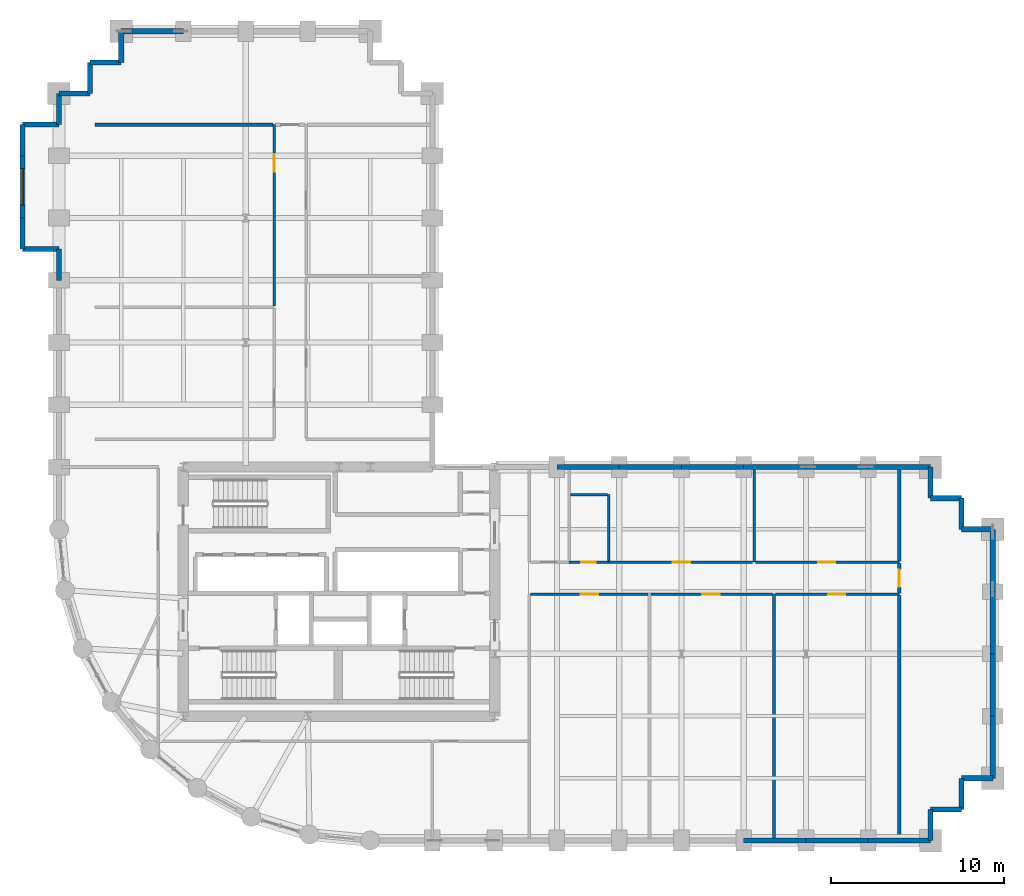
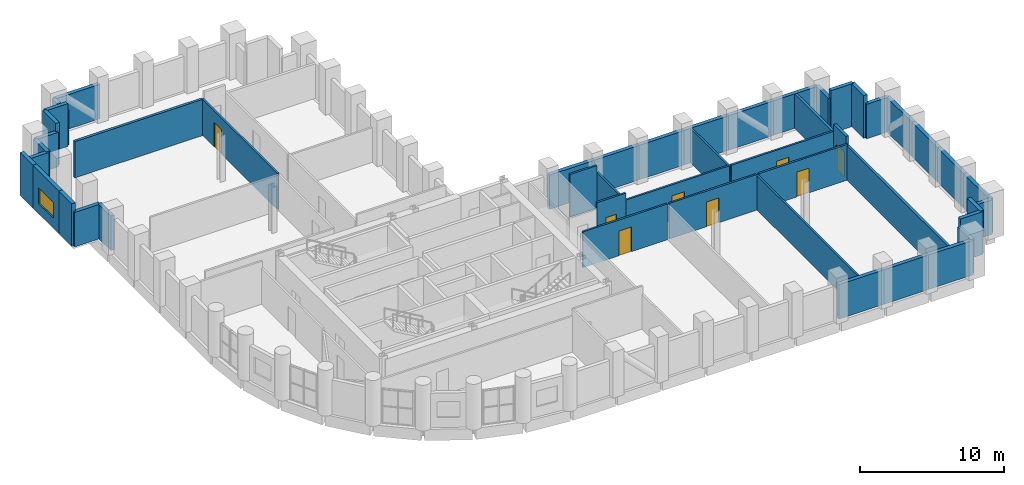
# One storey, part 11 of 13: 48 walls, 8 doors, 1 window, 9 openings.
"""IFC4 building model written with IfcOpenShell, lengths in metres."""

from ifc_helpers import new_model, si_unit, direction, frame, frame_2d, origin, place, context, subcontext, project, spatial, rectangle, extrude, material, layer, layer_set, type_object, element, fill, save


model = new_model("IFC4")

# Units and contexts
model_context = context("Model", 3, precision=1e-05, world=origin(), true_north=direction((0.0, 1.0)))
body_context = subcontext(model_context, "Body", "Model", "MODEL_VIEW")
ifc_project = project(units=[si_unit("LENGTHUNIT", "METRE"), si_unit("AREAUNIT", "SQUARE_METRE"), si_unit("VOLUMEUNIT", "CUBIC_METRE"), si_unit("PLANEANGLEUNIT", "RADIAN"), si_unit("MASSUNIT", "GRAM", prefix="KILO")], contexts=[model_context])

# Site, building, storey
site_placement = place(None, origin())
site = spatial("IfcSite", under=ifc_project, at=site_placement, CompositionType="ELEMENT")
building_placement = place(site_placement, origin())
building = spatial("IfcBuilding", under=site, at=building_placement, Name="Solnavia Interchange Tower", CompositionType="ELEMENT")
storey_placement = place(building_placement, frame((0.0, 0.0, 51.300048828125)))
storey = spatial("IfcBuildingStorey", under=building, at=storey_placement, Name="L12", CompositionType="ELEMENT", Elevation=51.300048828125)

# Walls
ifc_material_1 = material(Name="Gypsum Acoustic Twin-Stud & Mineral Wool", Category="gypsum")
ifc_layer_1 = layer(ifc_material_1, 0.199951171875)
ifc_layer_set_1 = layer_set([ifc_layer_1], Name="Gypsum Acoustic Twin-Stud & Mineral Wool")
wall_type_1 = type_object("IfcWallType", Name="Wall-ApartmentParty-200", PredefinedType="PARTITIONING", material=ifc_layer_set_1)
wall_1_placement = place(storey_placement, frame((55.800048828125, 3.75390625, 0.0), z_axis=(0.0, 0.0, 1.0), x_axis=(0.0, 1.0, 0.0)))
element("IfcWall", 1, at=wall_1_placement, inside=storey, type_object=wall_type_1, Name="PTW-L12-24 Interior partition wall", PredefinedType="PARTITIONING", context=body_context, shape_type="SweptSolid", body=[
    extrude(rectangle(XDim=14.01708984375, YDim=0.199951171875, at=frame_2d((7.008544921875, 0.0))), origin(), (0.0, 0.0, 1.0), 2.929931640625),
])
wall_2_placement = place(storey_placement, frame((55.800048828125, 19.779052734375, 0.0), z_axis=(0.0, 0.0, 1.0), x_axis=(0.0, 1.0, 0.0)))
element("IfcWall", 2, at=wall_2_placement, inside=storey, type_object=wall_type_1, Name="PTW-L12-25 Interior partition wall", PredefinedType="PARTITIONING", context=body_context, shape_type="SweptSolid", body=[
    extrude(rectangle(XDim=5.266845703125, YDim=0.199951171875, at=frame_2d((2.63330078125, 0.0))), origin(), (0.0, 0.0, 1.0), 2.929931640625),
])

# Wall, opening, door
wall_3_placement = place(storey_placement, frame((55.800048828125, 17.928955078125, 0.0), z_axis=(0.0, 0.0, 1.0), x_axis=(0.0, 1.0, 0.0)))
wall_3 = element("IfcWall", 3, at=wall_3_placement, inside=storey, type_object=wall_type_1, Name="PTW-L12-26 Interior partition wall", PredefinedType="PARTITIONING", context=body_context, shape_type="SweptSolid", body=[
    extrude(rectangle(XDim=1.692138671875, YDim=0.199951171875, at=frame_2d((0.84619140625, 0.0))), origin(), (0.0, 0.0, 1.0), 3.635009765625),
])
opening_1_placement = place(wall_3_placement, frame((0.339111328125, 0.0, 0.0)))
opening_1 = element("IfcOpeningElement", 4, at=opening_1_placement, cuts=wall_3, Name="Opening DR-06", PredefinedType="OPENING", context=body_context, shape_type="SweptSolid", body=[
    extrude(rectangle(XDim=1.0, YDim=2.10009765625, at=frame_2d((0.5, 1.050048828125))), frame((0.0, 0.10986328125, 0.0), z_axis=(0.0, -1.0, 0.0), x_axis=(1.0, 0.0, 0.0)), (0.0, 0.0, 1.0), 0.219970703125),
])
ifc_material_2 = material(Name="Engineered Timber Acoustic Fire Door", Category="wood")
door_type_1 = type_object("IfcDoorType", Name="Door-FlatEntry-1000x2100", OperationType="SINGLE_SWING_LEFT", PredefinedType="DOOR", material=ifc_material_2)
door_1_placement = place(opening_1_placement, origin())
door_1 = element("IfcDoor", 5, at=door_1_placement, inside=storey, type_object=door_type_1, Name="DR-L12-12 Interior room door", OperationType="SINGLE_SWING_RIGHT", OverallHeight=2.10009765625, OverallWidth=1.0, PredefinedType="DOOR", context=body_context, shape_type="SweptSolid", body=[
    extrude(rectangle(XDim=1.0, YDim=2.10009765625, at=frame_2d((0.5, 1.050048828125))), frame((0.0, 0.02490234375, 0.0), z_axis=(0.0, -1.0, 0.0), x_axis=(1.0, 0.0, 0.0)), (0.0, 0.0, 1.0), 0.050048828125),
])
fill(opening_1, door_1)

# Walls
wall_4_placement = place(storey_placement, frame((9.300048828125, 45.0, 0.0), z_axis=(0.0, 0.0, 1.0), x_axis=(1.0, 0.0, 0.0)))
element("IfcWall", 6, at=wall_4_placement, inside=storey, type_object=wall_type_1, Name="PTW-L12-35 Interior partition wall", PredefinedType="PARTITIONING", context=body_context, shape_type="SweptSolid", body=[
    extrude(rectangle(XDim=10.27099609375, YDim=0.199951171875, at=frame_2d((5.135498046875, 0.0))), origin(), (0.0, 0.0, 1.0), 3.079833984375),
])
ifc_material_3 = material(Name="Concrete C40/50", Category="concrete")
ifc_layer_2 = layer(ifc_material_3, 0.300048828125)
ifc_layer_set_2 = layer_set([ifc_layer_2], Name="Concrete C40/50")
wall_type_2 = type_object("IfcWallType", Name="Wall-ExtSpandrel-300", PredefinedType="STANDARD", material=ifc_layer_set_2)
wall_5_placement = place(storey_placement, frame((50.39990234375, 3.60009765625, 0.0), z_axis=(0.0, 0.0, 1.0), x_axis=(-1.0, 0.0, 0.0)))
element("IfcWall", 7, at=wall_5_placement, inside=storey, type_object=wall_type_2, Name="EXW-L12-07 Exterior precast spandrel wall", PredefinedType="STANDARD", context=body_context, shape_type="SweptSolid", body=[
    extrude(rectangle(XDim=3.599853515625, YDim=0.300048828125, at=frame_2d((1.7998046875, 0.0))), origin(), (0.0, 0.0, 1.0), 2.929931640625),
])
for number, where, z_axis, x_axis, name in (
    (8, (54.0, 3.60009765625, 0.0), (0.0, 0.0, 1.0), (-1.0, 0.0, 0.0), "EXW-L12-08 Exterior precast spandrel wall"),
    (9, (57.60009765625, 3.60009765625, 0.0), (0.0, 0.0, 1.0), (-1.0, 0.0, 0.0), "EXW-L12-09 Exterior precast spandrel wall"),
):
    element("IfcWall", number, at=place(storey_placement, frame(where, z_axis=z_axis, x_axis=x_axis)), inside=storey, type_object=wall_type_2, Name=name, PredefinedType="STANDARD", context=body_context, shape_type="SweptSolid", body=[
        extrude(rectangle(XDim=3.60009765625, YDim=0.300048828125, at=frame_2d((1.800048828125, 0.0))), origin(), (0.0, 0.0, 1.0), 2.929931640625),
    ])
wall_6_placement = place(storey_placement, frame((57.60009765625, 5.39990234375, 0.0), z_axis=(0.0, 0.0, 1.0), x_axis=(0.0, -1.0, 0.0)))
element("IfcWall", 10, at=wall_6_placement, inside=storey, type_object=wall_type_2, Name="EXW-L12-10 Exterior precast spandrel wall", PredefinedType="STANDARD", context=body_context, shape_type="SweptSolid", body=[
    extrude(rectangle(XDim=1.7998046875, YDim=0.300048828125, at=frame_2d((0.89990234375, 0.0))), origin(), (0.0, 0.0, 1.0), 2.929931640625),
])
wall_7_placement = place(storey_placement, frame((59.39990234375, 5.39990234375, 0.0), z_axis=(0.0, 0.0, 1.0), x_axis=(-1.0, 0.0, 0.0)))
element("IfcWall", 11, at=wall_7_placement, inside=storey, type_object=wall_type_2, Name="EXW-L12-11 Exterior precast spandrel wall", PredefinedType="STANDARD", context=body_context, shape_type="SweptSolid", body=[
    extrude(rectangle(XDim=1.7998046875, YDim=0.300048828125, at=frame_2d((0.89990234375, 0.0))), origin(), (0.0, 0.0, 1.0), 3.635009765625),
])
wall_8_placement = place(storey_placement, frame((59.39990234375, 7.199951171875, 0.0), z_axis=(0.0, 0.0, 1.0), x_axis=(0.0, -1.0, 0.0)))
element("IfcWall", 12, at=wall_8_placement, inside=storey, type_object=wall_type_2, Name="EXW-L12-12 Exterior precast spandrel wall", PredefinedType="STANDARD", context=body_context, shape_type="SweptSolid", body=[
    extrude(rectangle(XDim=1.800048828125, YDim=0.300048828125, at=frame_2d((0.89990234375, 0.0))), origin(), (0.0, 0.0, 1.0), 3.635009765625),
])
wall_9_placement = place(storey_placement, frame((61.199951171875, 7.199951171875, 0.0), z_axis=(0.0, 0.0, 1.0), x_axis=(-1.0, 0.0, 0.0)))
element("IfcWall", 13, at=wall_9_placement, inside=storey, type_object=wall_type_2, Name="EXW-L12-13 Exterior precast spandrel wall", PredefinedType="STANDARD", context=body_context, shape_type="SweptSolid", body=[
    extrude(rectangle(XDim=1.800048828125, YDim=0.300048828125, at=frame_2d((0.89990234375, 0.0))), origin(), (0.0, 0.0, 1.0), 2.929931640625),
])
wall_10_placement = place(storey_placement, frame((61.199951171875, 10.800048828125, 0.0), z_axis=(0.0, 0.0, 1.0), x_axis=(0.0, -1.0, 0.0)))
element("IfcWall", 14, at=wall_10_placement, inside=storey, type_object=wall_type_2, Name="EXW-L12-14 Exterior precast spandrel wall", PredefinedType="STANDARD", context=body_context, shape_type="SweptSolid", body=[
    extrude(rectangle(XDim=3.60009765625, YDim=0.300048828125, at=frame_2d((1.800048828125, 0.0))), origin(), (0.0, 0.0, 1.0), 2.929931640625),
])
wall_11_placement = place(storey_placement, frame((61.199951171875, 14.39990234375, 0.0), z_axis=(0.0, 0.0, 1.0), x_axis=(0.0, -1.0, 0.0)))
element("IfcWall", 15, at=wall_11_placement, inside=storey, type_object=wall_type_2, Name="EXW-L12-15 Exterior precast spandrel wall", PredefinedType="STANDARD", context=body_context, shape_type="SweptSolid", body=[
    extrude(rectangle(XDim=3.599853515625, YDim=0.300048828125, at=frame_2d((1.7998046875, 0.0))), origin(), (0.0, 0.0, 1.0), 2.929931640625),
])
for number, where, z_axis, x_axis, name in (
    (16, (61.199951171875, 18.0, 0.0), (0.0, 0.0, 1.0), (0.0, -1.0, 0.0), "EXW-L12-16 Exterior precast spandrel wall"),
    (17, (61.199951171875, 21.60009765625, 0.0), (0.0, 0.0, 1.0), (0.0, -1.0, 0.0), "EXW-L12-17 Exterior precast spandrel wall"),
):
    element("IfcWall", number, at=place(storey_placement, frame(where, z_axis=z_axis, x_axis=x_axis)), inside=storey, type_object=wall_type_2, Name=name, PredefinedType="STANDARD", context=body_context, shape_type="SweptSolid", body=[
        extrude(rectangle(XDim=3.60009765625, YDim=0.300048828125, at=frame_2d((1.800048828125, 0.0))), origin(), (0.0, 0.0, 1.0), 2.929931640625),
    ])
wall_12_placement = place(storey_placement, frame((61.199951171875, 21.60009765625, 0.0), z_axis=(0.0, 0.0, 1.0), x_axis=(-1.0, 0.0, 0.0)))
element("IfcWall", 18, at=wall_12_placement, inside=storey, type_object=wall_type_2, Name="EXW-L12-18 Exterior precast spandrel wall", PredefinedType="STANDARD", context=body_context, shape_type="SweptSolid", body=[
    extrude(rectangle(XDim=1.800048828125, YDim=0.300048828125, at=frame_2d((0.89990234375, 0.0))), origin(), (0.0, 0.0, 1.0), 2.929931640625),
])
for number, where, z_axis, x_axis, name in (
    (19, (59.39990234375, 23.39990234375, 0.0), (0.0, 0.0, 1.0), (0.0, -1.0, 0.0), "EXW-L12-19 Exterior precast spandrel wall"),
    (20, (57.60009765625, 23.39990234375, 0.0), (0.0, 0.0, 1.0), (1.0, 0.0, 0.0), "EXW-L12-20 Exterior precast spandrel wall"),
):
    element("IfcWall", number, at=place(storey_placement, frame(where, z_axis=z_axis, x_axis=x_axis)), inside=storey, type_object=wall_type_2, Name=name, PredefinedType="STANDARD", context=body_context, shape_type="SweptSolid", body=[
        extrude(rectangle(XDim=1.7998046875, YDim=0.300048828125, at=frame_2d((0.89990234375, 0.0))), origin(), (0.0, 0.0, 1.0), 3.635009765625),
    ])
wall_13_placement = place(storey_placement, frame((57.60009765625, 25.199951171875, 0.0), z_axis=(0.0, 0.0, 1.0), x_axis=(0.0, -1.0, 0.0)))
element("IfcWall", 21, at=wall_13_placement, inside=storey, type_object=wall_type_2, Name="EXW-L12-21 Exterior precast spandrel wall", PredefinedType="STANDARD", context=body_context, shape_type="SweptSolid", body=[
    extrude(rectangle(XDim=1.800048828125, YDim=0.300048828125, at=frame_2d((0.89990234375, 0.0))), origin(), (0.0, 0.0, 1.0), 2.929931640625),
])
for number, where, z_axis, x_axis, name in (
    (22, (54.0, 25.199951171875, 0.0), (0.0, 0.0, 1.0), (1.0, 0.0, 0.0), "EXW-L12-22 Exterior precast spandrel wall"),
    (23, (50.39990234375, 25.199951171875, 0.0), (0.0, 0.0, 1.0), (1.0, 0.0, 0.0), "EXW-L12-23 Exterior precast spandrel wall"),
):
    element("IfcWall", number, at=place(storey_placement, frame(where, z_axis=z_axis, x_axis=x_axis)), inside=storey, type_object=wall_type_2, Name=name, PredefinedType="STANDARD", context=body_context, shape_type="SweptSolid", body=[
        extrude(rectangle(XDim=3.60009765625, YDim=0.300048828125, at=frame_2d((1.800048828125, 0.0))), origin(), (0.0, 0.0, 1.0), 2.929931640625),
    ])
wall_14_placement = place(storey_placement, frame((46.800048828125, 25.199951171875, 0.0), z_axis=(0.0, 0.0, 1.0), x_axis=(1.0, 0.0, 0.0)))
element("IfcWall", 24, at=wall_14_placement, inside=storey, type_object=wall_type_2, Name="EXW-L12-24 Exterior precast spandrel wall", PredefinedType="STANDARD", context=body_context, shape_type="SweptSolid", body=[
    extrude(rectangle(XDim=3.599853515625, YDim=0.300048828125, at=frame_2d((1.7998046875, 0.0))), origin(), (0.0, 0.0, 1.0), 2.929931640625),
])
wall_15_placement = place(storey_placement, frame((43.199951171875, 25.199951171875, 0.0), z_axis=(0.0, 0.0, 1.0), x_axis=(1.0, 0.0, 0.0)))
element("IfcWall", 25, at=wall_15_placement, inside=storey, type_object=wall_type_2, Name="EXW-L12-25 Exterior precast spandrel wall", PredefinedType="STANDARD", context=body_context, shape_type="SweptSolid", body=[
    extrude(rectangle(XDim=3.60009765625, YDim=0.300048828125, at=frame_2d((1.800048828125, 0.0))), origin(), (0.0, 0.0, 1.0), 2.929931640625),
])
wall_16_placement = place(storey_placement, frame((39.60009765625, 25.199951171875, 0.0), z_axis=(0.0, 0.0, 1.0), x_axis=(1.0, 0.0, 0.0)))
element("IfcWall", 26, at=wall_16_placement, inside=storey, type_object=wall_type_2, Name="EXW-L12-26 Exterior precast spandrel wall", PredefinedType="STANDARD", context=body_context, shape_type="SweptSolid", body=[
    extrude(rectangle(XDim=3.599853515625, YDim=0.300048828125, at=frame_2d((1.7998046875, 0.0))), origin(), (0.0, 0.0, 1.0), 2.929931640625),
])
wall_17_placement = place(storey_placement, frame((36.0, 25.199951171875, 0.0), z_axis=(0.0, 0.0, 1.0), x_axis=(1.0, 0.0, 0.0)))
element("IfcWall", 27, at=wall_17_placement, inside=storey, type_object=wall_type_2, Name="EXW-L12-27 Exterior precast spandrel wall", PredefinedType="STANDARD", context=body_context, shape_type="SweptSolid", body=[
    extrude(rectangle(XDim=3.60009765625, YDim=0.300048828125, at=frame_2d((1.800048828125, 0.0))), origin(), (0.0, 0.0, 1.0), 2.929931640625),
])
wall_18_placement = place(storey_placement, frame((10.800048828125, 50.39990234375, 0.0), z_axis=(0.0, 0.0, 1.0), x_axis=(1.0, 0.0, 0.0)))
element("IfcWall", 28, at=wall_18_placement, inside=storey, type_object=wall_type_2, Name="EXW-L12-43 Exterior precast spandrel wall", PredefinedType="STANDARD", context=body_context, shape_type="SweptSolid", body=[
    extrude(rectangle(XDim=3.599853515625, YDim=0.300048828125, at=frame_2d((1.7998046875, 0.0))), origin(), (0.0, 0.0, 1.0), 2.929931640625),
])
wall_19_placement = place(storey_placement, frame((10.800048828125, 48.60009765625, 0.0), z_axis=(0.0, 0.0, 1.0), x_axis=(0.0, 1.0, 0.0)))
element("IfcWall", 29, at=wall_19_placement, inside=storey, type_object=wall_type_2, Name="EXW-L12-44 Exterior precast spandrel wall", PredefinedType="STANDARD", context=body_context, shape_type="SweptSolid", body=[
    extrude(rectangle(XDim=1.7998046875, YDim=0.300048828125, at=frame_2d((0.89990234375, 0.0))), origin(), (0.0, 0.0, 1.0), 2.929931640625),
])
for number, where, z_axis, x_axis, name in (
    (30, (9.0, 48.60009765625, 0.0), (0.0, 0.0, 1.0), (1.0, 0.0, 0.0), "EXW-L12-45 Exterior precast spandrel wall"),
    (31, (9.0, 46.800048828125, 0.0), (0.0, 0.0, 1.0), (0.0, 1.0, 0.0), "EXW-L12-46 Exterior precast spandrel wall"),
):
    element("IfcWall", number, at=place(storey_placement, frame(where, z_axis=z_axis, x_axis=x_axis)), inside=storey, type_object=wall_type_2, Name=name, PredefinedType="STANDARD", context=body_context, shape_type="SweptSolid", body=[
        extrude(rectangle(XDim=1.800048828125, YDim=0.300048828125, at=frame_2d((0.89990234375, 0.0))), origin(), (0.0, 0.0, 1.0), 3.635009765625),
    ])
for number, where, z_axis, x_axis, name in (
    (32, (7.199951171875, 46.800048828125, 0.0), (0.0, 0.0, 1.0), (1.0, 0.0, 0.0), "EXW-L12-47 Exterior precast spandrel wall"),
    (33, (7.199951171875, 45.0, 0.0), (0.0, 0.0, 1.0), (0.0, 1.0, 0.0), "EXW-L12-48 Exterior precast spandrel wall"),
):
    element("IfcWall", number, at=place(storey_placement, frame(where, z_axis=z_axis, x_axis=x_axis)), inside=storey, type_object=wall_type_2, Name=name, PredefinedType="STANDARD", context=body_context, shape_type="SweptSolid", body=[
        extrude(rectangle(XDim=1.800048828125, YDim=0.300048828125, at=frame_2d((0.89990234375, 0.0))), origin(), (0.0, 0.0, 1.0), 2.929931640625),
    ])
wall_20_placement = place(storey_placement, frame((5.10009765625, 45.0, 0.0), z_axis=(0.0, 0.0, 1.0), x_axis=(1.0, 0.0, 0.0)))
element("IfcWall", 34, at=wall_20_placement, inside=storey, type_object=wall_type_2, Name="EXW-L12-49 Exterior precast spandrel wall", PredefinedType="STANDARD", context=body_context, shape_type="SweptSolid", body=[
    extrude(rectangle(XDim=2.099853515625, YDim=0.300048828125, at=frame_2d((1.0498046875, 0.0))), origin(), (0.0, 0.0, 1.0), 2.929931640625),
])
wall_21_placement = place(storey_placement, frame((5.10009765625, 43.199951171875, 0.0), z_axis=(0.0, 0.0, 1.0), x_axis=(0.0, 1.0, 0.0)))
element("IfcWall", 35, at=wall_21_placement, inside=storey, type_object=wall_type_2, Name="EXW-L12-50 Exterior precast spandrel wall", PredefinedType="STANDARD", context=body_context, shape_type="SweptSolid", body=[
    extrude(rectangle(XDim=1.800048828125, YDim=0.300048828125, at=frame_2d((0.89990234375, 0.0))), origin(), (0.0, 0.0, 1.0), 3.635009765625),
])

# Wall, opening, window
wall_22_placement = place(storey_placement, frame((5.10009765625, 39.60009765625, 0.0), z_axis=(0.0, 0.0, 1.0), x_axis=(0.0, 1.0, 0.0)))
wall_22 = element("IfcWall", 36, at=wall_22_placement, inside=storey, type_object=wall_type_2, Name="EXW-L12-51 Exterior precast spandrel wall", PredefinedType="STANDARD", context=body_context, shape_type="SweptSolid", body=[
    extrude(rectangle(XDim=3.599853515625, YDim=0.300048828125, at=frame_2d((1.7998046875, 0.0))), origin(), (0.0, 0.0, 1.0), 3.635009765625),
])
opening_2_placement = place(wall_22_placement, frame((0.75, 0.0, 0.85009765625)))
opening_2 = element("IfcOpeningElement", 37, at=opening_2_placement, cuts=wall_22, Name="Opening WIN-01", PredefinedType="OPENING", context=body_context, shape_type="SweptSolid", body=[
    extrude(rectangle(XDim=2.10009765625, YDim=1.35009765625, at=frame_2d((1.050048828125, 0.675048828125))), frame((0.0, 0.16015625, 0.0), z_axis=(0.0, -1.0, 0.0), x_axis=(1.0, 0.0, 0.0)), (0.0, 0.0, 1.0), 0.320068359375),
])
ifc_material_4 = material(Name="Thermal-Break Aluminium & Low-E Glass", Category="aluminium")
window_type = type_object("IfcWindowType", Name="Window-Ribbon-2100x1350", PartitioningType="SINGLE_PANEL", PredefinedType="WINDOW", material=ifc_material_4)
window_placement = place(opening_2_placement, origin())
window = element("IfcWindow", 38, at=window_placement, inside=storey, type_object=window_type, Name="WIN-L12-51 Facade ribbon window", OverallHeight=1.35009765625, OverallWidth=2.10009765625, PartitioningType="SINGLE_PANEL", PredefinedType="WINDOW", context=body_context, shape_type="SweptSolid", body=[
    extrude(rectangle(XDim=2.10009765625, YDim=1.35009765625, at=frame_2d((1.050048828125, 0.675048828125))), frame((0.0, 0.030029296875, 0.0), z_axis=(0.0, -1.0, 0.0), x_axis=(1.0, 0.0, 0.0)), (0.0, 0.0, 1.0), 0.06005859375),
])
fill(opening_2, window)

# Walls
wall_23_placement = place(storey_placement, frame((5.10009765625, 37.800048828125, 0.0), z_axis=(0.0, 0.0, 1.0), x_axis=(0.0, 1.0, 0.0)))
element("IfcWall", 39, at=wall_23_placement, inside=storey, type_object=wall_type_2, Name="EXW-L12-52 Exterior precast spandrel wall", PredefinedType="STANDARD", context=body_context, shape_type="SweptSolid", body=[
    extrude(rectangle(XDim=1.800048828125, YDim=0.300048828125, at=frame_2d((0.89990234375, 0.0))), origin(), (0.0, 0.0, 1.0), 3.635009765625),
])
wall_24_placement = place(storey_placement, frame((5.10009765625, 37.800048828125, 0.0), z_axis=(0.0, 0.0, 1.0), x_axis=(1.0, 0.0, 0.0)))
element("IfcWall", 40, at=wall_24_placement, inside=storey, type_object=wall_type_2, Name="EXW-L12-53 Exterior precast spandrel wall", PredefinedType="STANDARD", context=body_context, shape_type="SweptSolid", body=[
    extrude(rectangle(XDim=2.099853515625, YDim=0.300048828125, at=frame_2d((1.0498046875, 0.0))), origin(), (0.0, 0.0, 1.0), 2.929931640625),
])
wall_25_placement = place(storey_placement, frame((7.199951171875, 36.0, 0.0), z_axis=(0.0, 0.0, 1.0), x_axis=(0.0, 1.0, 0.0)))
element("IfcWall", 41, at=wall_25_placement, inside=storey, type_object=wall_type_2, Name="EXW-L12-54 Exterior precast spandrel wall", PredefinedType="STANDARD", context=body_context, shape_type="SweptSolid", body=[
    extrude(rectangle(XDim=1.800048828125, YDim=0.300048828125, at=frame_2d((0.89990234375, 0.0))), origin(), (0.0, 0.0, 1.0), 2.929931640625),
])

# Wall, opening, door
ifc_material_5 = material(Name="Gypsum Plasterboard & Steel Stud", Category="steel")
ifc_layer_3 = layer(ifc_material_5, 0.14990234375)
ifc_layer_set_3 = layer_set([ifc_layer_3], Name="Gypsum Plasterboard & Steel Stud")
wall_type_3 = type_object("IfcWallType", Name="Wall-Partition-150", PredefinedType="PARTITIONING", material=ifc_layer_set_3)
wall_26_placement = place(storey_placement, frame((34.47900390625, 17.85009765625, 0.0), z_axis=(0.0, 0.0, 1.0), x_axis=(1.0, 0.0, 0.0)))
wall_26 = element("IfcWall", 42, at=wall_26_placement, inside=storey, type_object=wall_type_3, Name="PTW-L12-17 Interior partition wall", PredefinedType="PARTITIONING", context=body_context, shape_type="SweptSolid", body=[
    extrude(rectangle(XDim=6.7919921875, YDim=0.14990234375, at=frame_2d((3.39599609375, 0.0))), origin(), (0.0, 0.0, 1.0), 3.0400390625),
])
opening_3_placement = place(wall_26_placement, frame((2.89599609375, 0.0, 0.0)))
opening_3 = element("IfcOpeningElement", 43, at=opening_3_placement, cuts=wall_26, Name="Opening DR-07", PredefinedType="OPENING", context=body_context, shape_type="SweptSolid", body=[
    extrude(rectangle(XDim=1.0, YDim=2.10009765625, at=frame_2d((0.5, 1.050048828125))), frame((0.0, 0.0849609375, 0.0), z_axis=(0.0, -1.0, 0.0), x_axis=(1.0, 0.0, 0.0)), (0.0, 0.0, 1.0), 0.169921875),
])
ifc_material_6 = material(Name="Timber & Acoustic Glazed Office Door", Category="wood")
door_type_2 = type_object("IfcDoorType", Name="Door-Office-1000x2100", OperationType="SINGLE_SWING_RIGHT", PredefinedType="DOOR", material=ifc_material_6)
door_2_placement = place(opening_3_placement, origin())
door_2 = element("IfcDoor", 44, at=door_2_placement, inside=storey, type_object=door_type_2, Name="DR-L12-07 Interior room door", OperationType="SINGLE_SWING_LEFT", OverallHeight=2.10009765625, OverallWidth=1.0, PredefinedType="DOOR", context=body_context, shape_type="SweptSolid", body=[
    extrude(rectangle(XDim=1.0, YDim=2.10009765625, at=frame_2d((0.5, 1.050048828125))), frame((0.0, 0.02490234375, 0.0), z_axis=(0.0, -1.0, 0.0), x_axis=(1.0, 0.0, 0.0)), (0.0, 0.0, 1.0), 0.050048828125),
])
fill(opening_3, door_2)

# Wall
wall_27_placement = place(storey_placement, frame((48.550048828125, 3.75390625, 0.0), z_axis=(0.0, 0.0, 1.0), x_axis=(0.0, 1.0, 0.0)))
element("IfcWall", 45, at=wall_27_placement, inside=storey, type_object=wall_type_3, Name="PTW-L12-18 Interior partition wall", PredefinedType="PARTITIONING", context=body_context, shape_type="SweptSolid", body=[
    extrude(rectangle(XDim=14.09619140625, YDim=0.14990234375, at=frame_2d((7.048095703125, 0.0))), origin(), (0.0, 0.0, 1.0), 2.929931640625),
])

# Wall, opening, door
wall_28_placement = place(storey_placement, frame((41.428955078125, 17.85009765625, 0.0), z_axis=(0.0, 0.0, 1.0), x_axis=(1.0, 0.0, 0.0)))
wall_28 = element("IfcWall", 46, at=wall_28_placement, inside=storey, type_object=wall_type_3, Name="PTW-L12-19 Interior partition wall", PredefinedType="PARTITIONING", context=body_context, shape_type="SweptSolid", body=[
    extrude(rectangle(XDim=7.0419921875, YDim=0.14990234375, at=frame_2d((3.52099609375, 0.0))), origin(), (0.0, 0.0, 1.0), 3.030029296875),
])
opening_4_placement = place(wall_28_placement, frame((2.98095703125, 0.0, 0.0)))
opening_4 = element("IfcOpeningElement", 47, at=opening_4_placement, cuts=wall_28, Name="Opening DR-07", PredefinedType="OPENING", context=body_context, shape_type="SweptSolid", body=[
    extrude(rectangle(XDim=1.0, YDim=2.10009765625, at=frame_2d((0.5, 1.050048828125))), frame((0.0, 0.0849609375, 0.0), z_axis=(0.0, -1.0, 0.0), x_axis=(1.0, 0.0, 0.0)), (0.0, 0.0, 1.0), 0.169921875),
])
door_3_placement = place(opening_4_placement, origin())
door_3 = element("IfcDoor", 48, at=door_3_placement, inside=storey, type_object=door_type_2, Name="DR-L12-08 Interior room door", OperationType="SINGLE_SWING_RIGHT", OverallHeight=2.10009765625, OverallWidth=1.0, PredefinedType="DOOR", context=body_context, shape_type="SweptSolid", body=[
    extrude(rectangle(XDim=1.0, YDim=2.10009765625, at=frame_2d((0.5, 1.050048828125))), frame((0.0, 0.02490234375, 0.0), z_axis=(0.0, -1.0, 0.0), x_axis=(1.0, 0.0, 0.0)), (0.0, 0.0, 1.0), 0.050048828125),
])
fill(opening_4, door_3)

wall_29_placement = place(storey_placement, frame((48.62890625, 17.85009765625, 0.0), z_axis=(0.0, 0.0, 1.0), x_axis=(1.0, 0.0, 0.0)))
wall_29 = element("IfcWall", 49, at=wall_29_placement, inside=storey, type_object=wall_type_3, Name="PTW-L12-20 Interior partition wall", PredefinedType="PARTITIONING", context=body_context, shape_type="SweptSolid", body=[
    extrude(rectangle(XDim=7.171142578125, YDim=0.14990234375, at=frame_2d((3.58544921875, 0.0))), origin(), (0.0, 0.0, 1.0), 3.0400390625),
])
opening_5_placement = place(wall_29_placement, frame((3.0458984375, 0.0, 0.0)))
opening_5 = element("IfcOpeningElement", 50, at=opening_5_placement, cuts=wall_29, Name="Opening DR-07", PredefinedType="OPENING", context=body_context, shape_type="SweptSolid", body=[
    extrude(rectangle(XDim=1.0, YDim=2.10009765625, at=frame_2d((0.5, 1.050048828125))), frame((0.0, 0.0849609375, 0.0), z_axis=(0.0, -1.0, 0.0), x_axis=(1.0, 0.0, 0.0)), (0.0, 0.0, 1.0), 0.169921875),
])
door_4_placement = place(opening_5_placement, origin())
door_4 = element("IfcDoor", 51, at=door_4_placement, inside=storey, type_object=door_type_2, Name="DR-L12-09 Interior room door", OperationType="SINGLE_SWING_LEFT", OverallHeight=2.10009765625, OverallWidth=1.0, PredefinedType="DOOR", context=body_context, shape_type="SweptSolid", body=[
    extrude(rectangle(XDim=1.0, YDim=2.10009765625, at=frame_2d((0.5, 1.050048828125))), frame((0.0, 0.02490234375, 0.0), z_axis=(0.0, -1.0, 0.0), x_axis=(1.0, 0.0, 0.0)), (0.0, 0.0, 1.0), 0.050048828125),
])
fill(opening_5, door_4)

# Wall
wall_30_placement = place(storey_placement, frame((47.39990234375, 19.699951171875, 0.0), z_axis=(0.0, 0.0, 1.0), x_axis=(0.0, 1.0, 0.0)))
element("IfcWall", 52, at=wall_30_placement, inside=storey, type_object=wall_type_3, Name="PTW-L12-21 Interior partition wall", PredefinedType="PARTITIONING", context=body_context, shape_type="SweptSolid", body=[
    extrude(rectangle(XDim=5.345947265625, YDim=0.14990234375, at=frame_2d((2.6728515625, 0.0))), origin(), (0.0, 0.0, 1.0), 2.929931640625),
])

# Wall, opening, door
wall_31_placement = place(storey_placement, frame((39.0, 19.699951171875, 0.0), z_axis=(0.0, 0.0, 1.0), x_axis=(1.0, 0.0, 0.0)))
wall_31 = element("IfcWall", 53, at=wall_31_placement, inside=storey, type_object=wall_type_3, Name="PTW-L12-22 Interior partition wall", PredefinedType="PARTITIONING", context=body_context, shape_type="SweptSolid", body=[
    extrude(rectangle(XDim=8.321044921875, YDim=0.14990234375, at=frame_2d((4.16064453125, 0.0))), origin(), (0.0, 0.0, 1.0), 3.0400390625),
])
opening_6_placement = place(wall_31_placement, frame((3.699951171875, 0.0, 0.0)))
opening_6 = element("IfcOpeningElement", 54, at=opening_6_placement, cuts=wall_31, Name="Opening DR-07", PredefinedType="OPENING", context=body_context, shape_type="SweptSolid", body=[
    extrude(rectangle(XDim=1.0, YDim=2.10009765625, at=frame_2d((0.5, 1.050048828125))), frame((0.0, 0.0849609375, 0.0), z_axis=(0.0, -1.0, 0.0), x_axis=(1.0, 0.0, 0.0)), (0.0, 0.0, 1.0), 0.169921875),
])
door_5_placement = place(opening_6_placement, origin())
door_5 = element("IfcDoor", 55, at=door_5_placement, inside=storey, type_object=door_type_2, Name="DR-L12-10 Interior room door", OperationType="SINGLE_SWING_RIGHT", OverallHeight=2.10009765625, OverallWidth=1.0, PredefinedType="DOOR", context=body_context, shape_type="SweptSolid", body=[
    extrude(rectangle(XDim=1.0, YDim=2.10009765625, at=frame_2d((0.5, 1.050048828125))), frame((0.0, 0.02490234375, 0.0), z_axis=(0.0, -1.0, 0.0), x_axis=(1.0, 0.0, 0.0)), (0.0, 0.0, 1.0), 0.050048828125),
])
fill(opening_6, door_5)

wall_32_placement = place(storey_placement, frame((47.47900390625, 19.699951171875, 0.0), z_axis=(0.0, 0.0, 1.0), x_axis=(1.0, 0.0, 0.0)))
wall_32 = element("IfcWall", 56, at=wall_32_placement, inside=storey, type_object=wall_type_3, Name="PTW-L12-23 Interior partition wall", PredefinedType="PARTITIONING", context=body_context, shape_type="SweptSolid", body=[
    extrude(rectangle(XDim=8.321044921875, YDim=0.14990234375, at=frame_2d((4.16064453125, 0.0))), origin(), (0.0, 0.0, 1.0), 3.0400390625),
])
opening_7_placement = place(wall_32_placement, frame((3.62109375, 0.0, 0.0)))
opening_7 = element("IfcOpeningElement", 57, at=opening_7_placement, cuts=wall_32, Name="Opening DR-07", PredefinedType="OPENING", context=body_context, shape_type="SweptSolid", body=[
    extrude(rectangle(XDim=1.0, YDim=2.10009765625, at=frame_2d((0.5, 1.050048828125))), frame((0.0, 0.0849609375, 0.0), z_axis=(0.0, -1.0, 0.0), x_axis=(1.0, 0.0, 0.0)), (0.0, 0.0, 1.0), 0.169921875),
])
door_6_placement = place(opening_7_placement, origin())
door_6 = element("IfcDoor", 58, at=door_6_placement, inside=storey, type_object=door_type_2, Name="DR-L12-11 Interior room door", OperationType="SINGLE_SWING_RIGHT", OverallHeight=2.10009765625, OverallWidth=1.0, PredefinedType="DOOR", context=body_context, shape_type="SweptSolid", body=[
    extrude(rectangle(XDim=1.0, YDim=2.10009765625, at=frame_2d((0.5, 1.050048828125))), frame((0.0, 0.02490234375, 0.0), z_axis=(0.0, -1.0, 0.0), x_axis=(1.0, 0.0, 0.0)), (0.0, 0.0, 1.0), 0.050048828125),
])
fill(opening_7, door_6)

wall_33_placement = place(storey_placement, frame((19.64990234375, 34.51904296875, 0.0), z_axis=(0.0, 0.0, 1.0), x_axis=(0.0, 1.0, 0.0)))
wall_33 = element("IfcWall", 59, at=wall_33_placement, inside=storey, type_object=wall_type_3, Name="PTW-L12-30 Interior partition wall", PredefinedType="PARTITIONING", context=body_context, shape_type="SweptSolid", body=[
    extrude(rectangle(XDim=10.48095703125, YDim=0.14990234375, at=frame_2d((5.240478515625, 0.0))), origin(), (0.0, 0.0, 1.0), 3.079833984375),
])
opening_8_placement = place(wall_33_placement, frame((7.76708984375, 0.0, 0.0)))
opening_8 = element("IfcOpeningElement", 60, at=opening_8_placement, cuts=wall_33, Name="Opening DR-07", PredefinedType="OPENING", context=body_context, shape_type="SweptSolid", body=[
    extrude(rectangle(XDim=1.0, YDim=2.10009765625, at=frame_2d((0.5, 1.050048828125))), frame((0.0, 0.0849609375, 0.0), z_axis=(0.0, -1.0, 0.0), x_axis=(1.0, 0.0, 0.0)), (0.0, 0.0, 1.0), 0.169921875),
])
door_7_placement = place(opening_8_placement, origin())
door_7 = element("IfcDoor", 61, at=door_7_placement, inside=storey, type_object=door_type_2, Name="DR-L12-14 Interior room door", OperationType="SINGLE_SWING_RIGHT", OverallHeight=2.10009765625, OverallWidth=1.0, PredefinedType="DOOR", context=body_context, shape_type="SweptSolid", body=[
    extrude(rectangle(XDim=1.0, YDim=2.10009765625, at=frame_2d((0.5, 1.050048828125))), frame((0.0, 0.02490234375, 0.0), z_axis=(0.0, -1.0, 0.0), x_axis=(1.0, 0.0, 0.0)), (0.0, 0.0, 1.0), 0.050048828125),
])
fill(opening_8, door_7)

ifc_material_7 = material(Name="Moisture-Resistant Gypsum & Steel Stud", Category="steel")
ifc_layer_4 = layer(ifc_material_7, 0.14990234375)
ifc_layer_set_4 = layer_set([ifc_layer_4], Name="Moisture-Resistant Gypsum & Steel Stud")
wall_type_4 = type_object("IfcWallType", Name="Wall-WetRoom-150", PredefinedType="PARTITIONING", material=ifc_layer_set_4)
wall_34_placement = place(storey_placement, frame((36.699951171875, 19.699951171875, 0.0), z_axis=(0.0, 0.0, 1.0), x_axis=(1.0, 0.0, 0.0)))
wall_34 = element("IfcWall", 62, at=wall_34_placement, inside=storey, type_object=wall_type_4, Name="PTW-L12-04 Interior partition wall", PredefinedType="PARTITIONING", context=body_context, shape_type="SweptSolid", body=[
    extrude(rectangle(XDim=2.300048828125, YDim=0.14990234375, at=frame_2d((1.14990234375, 0.0))), origin(), (0.0, 0.0, 1.0), 3.635009765625),
])
opening_9_placement = place(wall_34_placement, frame((0.697021484375, 0.0, 0.0)))
opening_9 = element("IfcOpeningElement", 63, at=opening_9_placement, cuts=wall_34, Name="Opening DR-10", PredefinedType="OPENING", context=body_context, shape_type="SweptSolid", body=[
    extrude(rectangle(XDim=0.85009765625, YDim=2.10009765625, at=frame_2d((0.425048828125, 1.050048828125))), frame((0.0, 0.0849609375, 0.0), z_axis=(0.0, -1.0, 0.0), x_axis=(1.0, 0.0, 0.0)), (0.0, 0.0, 1.0), 0.169921875),
])
ifc_material_8 = material(Name="Moisture-Resistant Timber Door", Category="wood")
door_type_3 = type_object("IfcDoorType", Name="Door-Bathroom-850x2100", OperationType="SINGLE_SWING_RIGHT", PredefinedType="DOOR", material=ifc_material_8)
door_8_placement = place(opening_9_placement, origin())
door_8 = element("IfcDoor", 64, at=door_8_placement, inside=storey, type_object=door_type_3, Name="DR-L12-02 Interior room door", OperationType="SINGLE_SWING_RIGHT", OverallHeight=2.10009765625, OverallWidth=0.85009765625, PredefinedType="DOOR", context=body_context, shape_type="SweptSolid", body=[
    extrude(rectangle(XDim=0.85009765625, YDim=2.10009765625, at=frame_2d((0.425048828125, 1.050048828125))), frame((0.0, 0.02490234375, 0.0), z_axis=(0.0, -1.0, 0.0), x_axis=(1.0, 0.0, 0.0)), (0.0, 0.0, 1.0), 0.050048828125),
])
fill(opening_9, door_8)

# Walls
wall_35_placement = place(storey_placement, frame((39.0, 19.779052734375, 0.0), z_axis=(0.0, 0.0, 1.0), x_axis=(0.0, 1.0, 0.0)))
element("IfcWall", 65, at=wall_35_placement, inside=storey, type_object=wall_type_4, Name="PTW-L12-05 Interior partition wall", PredefinedType="PARTITIONING", context=body_context, shape_type="SweptSolid", body=[
    extrude(rectangle(XDim=3.821044921875, YDim=0.14990234375, at=frame_2d((1.91064453125, 0.0))), origin(), (0.0, 0.0, 1.0), 3.030029296875),
])
wall_36_placement = place(storey_placement, frame((36.779052734375, 23.60009765625, 0.0), z_axis=(0.0, 0.0, 1.0), x_axis=(1.0, 0.0, 0.0)))
element("IfcWall", 66, at=wall_36_placement, inside=storey, type_object=wall_type_4, Name="PTW-L12-06 Interior partition wall", PredefinedType="PARTITIONING", context=body_context, shape_type="SweptSolid", body=[
    extrude(rectangle(XDim=2.141845703125, YDim=0.14990234375, at=frame_2d((1.07080078125, 0.0))), origin(), (0.0, 0.0, 1.0), 3.635009765625),
])

save(model, "model.ifc")
